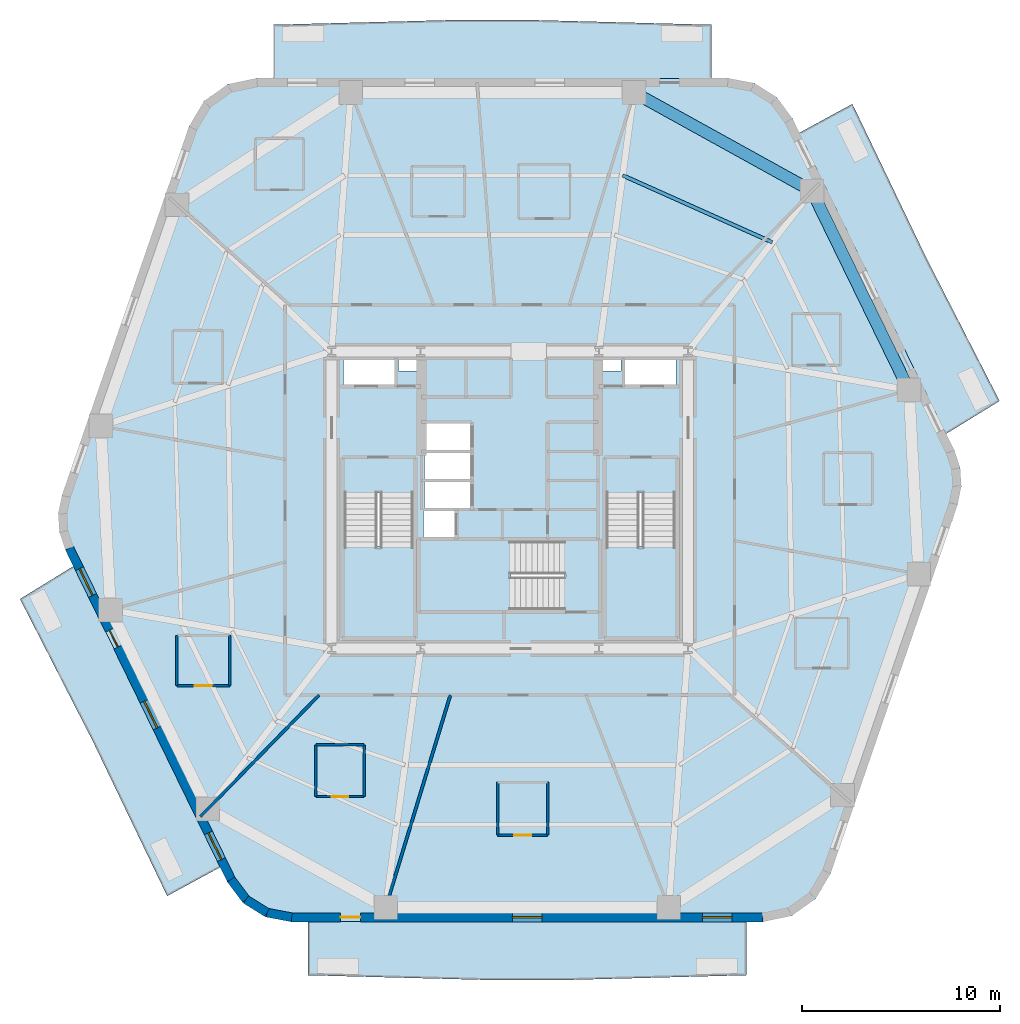
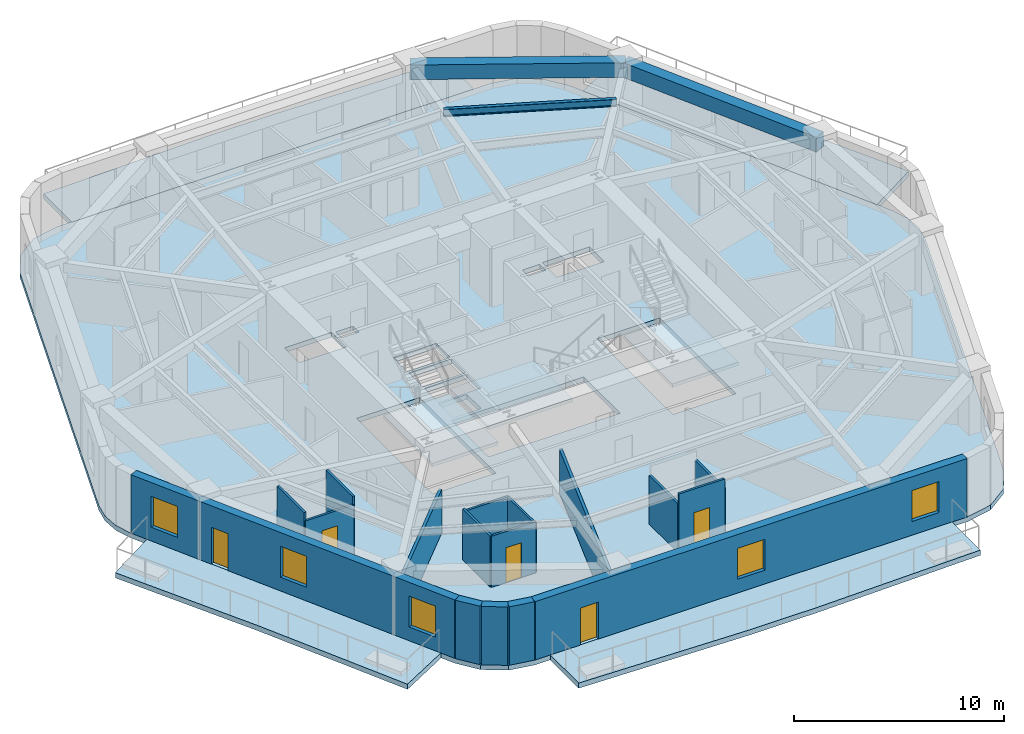
# One storey, part 2 of 9: 17 walls, 8 slabs, 5 doors, 5 windows, 3 beams, 10 openings, 3 elements without a shape of their own.
"""IFC4 building model written with IfcOpenShell, lengths in metres."""

from ifc_helpers import new_model, si_unit, direction, frame, frame_2d, origin, origin_2d, place, context, subcontext, project, spatial, polyline, rectangle, i_section, outline, extrude, material, layer, layer_set, material_profile, profile_set, type_object, element, fill, aggregate, save


model = new_model("IFC4")

# Units and contexts
model_context = context("Model", 3, precision=1e-05, world=origin(), true_north=direction((0.0, 1.0)))
body_context = subcontext(model_context, "Body", "Model", "MODEL_VIEW")
ifc_project = project(units=[si_unit("LENGTHUNIT", "METRE"), si_unit("AREAUNIT", "SQUARE_METRE"), si_unit("VOLUMEUNIT", "CUBIC_METRE"), si_unit("PLANEANGLEUNIT", "RADIAN"), si_unit("MASSUNIT", "GRAM", prefix="KILO")], contexts=[model_context])

# Site, building, storey
site_placement = place(None, origin())
site = spatial("IfcSite", under=ifc_project, at=site_placement, CompositionType="ELEMENT")
building_placement = place(site_placement, origin())
building = spatial("IfcBuilding", under=site, at=building_placement, Name="Kilnhurst Terrace Hotel", CompositionType="ELEMENT")
storey_placement = place(building_placement, frame((0.0, 0.0, 124.699951171875)))
storey = spatial("IfcBuildingStorey", under=building, at=storey_placement, Name="L30", CompositionType="ELEMENT", Elevation=124.699951171875)

# Beams
ifc_material_1 = material(Name="Concrete C50/60", Category="concrete")
ifc_material_profile_1 = material_profile(ifc_material_1, rectangle(XDim=0.60009765625, YDim=0.85009765625, at=origin_2d()), Name="RC600X850")
ifc_profile_set_1 = profile_set([ifc_material_profile_1], Name="Concrete C50/60")
beam_type_1 = type_object("IfcBeamType", Name="BM-SPN-600X850", PredefinedType="SPANDREL", material=ifc_profile_set_1)
beam_1_placement = place(storey_placement, frame((20.1640625, 5.549072265625, 2.97509765625), z_axis=(-0.438406012271, 0.89877704043, 0.0), x_axis=(-0.89877704043, -0.438406012271, 0.0)))
element("IfcBeam", 1, at=beam_1_placement, inside=storey, type_object=beam_type_1, Name="L30 Perimeter Spandrel Beam 5", PredefinedType="SPANDREL", context=body_context, shape_type="SweptSolid", body=[
    extrude(rectangle(XDim=0.60009765625, YDim=0.85009765625, at=origin_2d()), origin(), (0.0, 0.0, 1.0), 11.19287109375),
])
beam_2_placement = place(storey_placement, frame((15.257080078125, 15.60888671875, 2.97509765625), z_axis=(-0.875094010429, 0.483952965598, 0.0), x_axis=(-0.483952965598, -0.875094010429, 0.0)))
element("IfcBeam", 2, at=beam_2_placement, inside=storey, type_object=beam_type_1, Name="L30 Perimeter Spandrel Beam 6", PredefinedType="SPANDREL", context=body_context, shape_type="SweptSolid", body=[
    extrude(rectangle(XDim=0.60009765625, YDim=0.85009765625, at=origin_2d()), origin(), (0.0, 0.0, 1.0), 10.27197265625),
])
ifc_material_2 = material(Name="Steel ASTM A992 Grade 50", Category="steel")
ifc_material_profile_2 = material_profile(ifc_material_2, i_section(OverallWidth=0.180908203125, OverallDepth=0.417236328125, WebThickness=0.010986328125, FlangeThickness=0.018310546875, at=origin_2d()), Name="W16X57")
ifc_profile_set_2 = profile_set([ifc_material_profile_2], Name="Steel ASTM A992 Grade 50")
beam_type_2 = type_object("IfcBeamType", Name="JST-STL-W16X57", PredefinedType="JOIST", material=ifc_profile_set_2)
beam_3_placement = place(storey_placement, frame((13.2548828125, 13.01416015625, 3.191162109375), z_axis=(-0.912760935806, 0.408494154262, 0.0), x_axis=(-0.408494154262, -0.912760935806, 0.0)))
element("IfcBeam", 3, at=beam_3_placement, inside=storey, type_object=beam_type_2, Name="L30 Secondary Floor Steel Joist OUT.6", PredefinedType="JOIST", context=body_context, shape_type="SweptSolid", body=[
    extrude(i_section(OverallWidth=0.180908203125, OverallDepth=0.417236328125, WebThickness=0.010986328125, FlangeThickness=0.018310546875, at=origin_2d()), origin(), (0.0, 0.0, 1.0), 8.274658203125),
])

# Slabs
ifc_layer_1 = layer(ifc_material_1, 0.300048828125, Name="Concrete C50/60")
ifc_layer_set_1 = layer_set([ifc_layer_1], Name="Concrete C50/60")
slab_type_1 = type_object("IfcSlabType", Name="SLB-BAL-300", PredefinedType="FLOOR", material=ifc_layer_set_1)
slab_1_placement = place(storey_placement, frame((0.0, 0.0, -0.300048828125)))
element("IfcSlab", 4, at=slab_1_placement, inside=storey, type_object=slab_type_1, Name="L30 Cantilevered Planted Terrace Slab BAL-L1A", PredefinedType="FLOOR", context=body_context, shape_type="SweptSolid", body=[
    extrude(outline(polyline([(21.044921875, 12.205810546875), (24.734130859375, 5.0), (22.023193359375, 3.333740234375), (14.6083984375, 18.53564453125), (17.301513671875, 20.0), (21.044921875, 12.205810546875)])), origin(), (0.0, 0.0, 1.0), 0.300048828125),
])
slab_2_placement = place(storey_placement, frame((0.0, 0.0, -0.300048828125)))
element("IfcSlab", 5, at=slab_2_placement, inside=storey, type_object=slab_type_1, Name="L30 Cantilevered Planted Terrace Slab BAL-L1B", PredefinedType="FLOOR", context=body_context, shape_type="SweptSolid", body=[
    extrude(outline(polyline([(1.027099609375, 24.239990234375), (10.18310546875, 24.0), (10.18310546875, 21.280029296875), (-11.943603515625, 21.280029296875), (-11.943603515625, 24.0), (-2.787841796875, 24.239990234375), (1.027099609375, 24.239990234375)])), origin(), (0.0, 0.0, 1.0), 0.300048828125),
])
slab_3_placement = place(storey_placement, frame((0.0, 0.0, -0.300048828125)))
element("IfcSlab", 6, at=slab_3_placement, inside=storey, type_object=slab_type_1, Name="L30 Cantilevered Planted Terrace Slab BAL-L2A", PredefinedType="FLOOR", context=body_context, shape_type="SweptSolid", body=[
    extrude(outline(polyline([(-24.734130859375, -5.0), (-22.023193359375, -3.333740234375), (-14.6083984375, -18.53564453125), (-17.301513671875, -20.0), (-21.044921875, -12.205810546875), (-24.734130859375, -5.0)])), origin(), (0.0, 0.0, 1.0), 0.300048828125),
])
slab_4_placement = place(storey_placement, frame((0.0, 0.0, -0.300048828125)))
element("IfcSlab", 7, at=slab_4_placement, inside=storey, type_object=slab_type_1, Name="L30 Cantilevered Planted Terrace Slab BAL-L2B", PredefinedType="FLOOR", context=body_context, shape_type="SweptSolid", body=[
    extrude(outline(polyline([(-1.027099609375, -24.239990234375), (-10.18310546875, -24.0), (-10.18310546875, -21.280029296875), (11.943603515625, -21.280029296875), (11.943603515625, -24.0), (2.787841796875, -24.239990234375), (-1.027099609375, -24.239990234375)])), origin(), (0.0, 0.0, 1.0), 0.300048828125),
])
ifc_layer_2 = layer(ifc_material_1, 0.280029296875, Name="Concrete C50/60")
ifc_layer_set_2 = layer_set([ifc_layer_2], Name="Concrete C50/60")
slab_type_2 = type_object("IfcSlabType", Name="SLB-FLR-280", PredefinedType="FLOOR", material=ifc_layer_set_2)
slab_5_placement = place(storey_placement, frame((0.0, 0.0, -0.280029296875)))
element("IfcSlab", 8, at=slab_5_placement, inside=storey, type_object=slab_type_2, Name="L30 Structural Floor Slab", PredefinedType="FLOOR", context=body_context, shape_type="SweptSolid", body=[
    extrude(outline(polyline([(-14.2685546875, -19.2783203125), (-13.472900390625, -20.34716796875), (-12.342529296875, -21.05322265625), (-11.032958984375, -21.300048828125), (12.793701171875, -21.300048828125), (14.23876953125, -20.997314453125), (15.44091796875, -20.139892578125), (16.197509765625, -18.872314453125), (22.614501953125, -0.238525390625), (22.8017578125, 0.6826171875), (22.744384765625, 1.62060546875), (22.4462890625, 2.51171875), (14.2685546875, 19.2783203125), (13.472900390625, 20.34716796875), (12.342529296875, 21.05322265625), (11.032958984375, 21.300048828125), (-12.793701171875, 21.300048828125), (-14.23876953125, 20.997314453125), (-15.44091796875, 20.139892578125), (-16.197509765625, 18.872314453125), (-22.614501953125, 0.238525390625), (-22.8017578125, -0.6826171875), (-22.744384765625, -1.62060546875), (-22.4462890625, -2.51171875), (-14.2685546875, -19.2783203125)]), holes=[polyline([(-8.35009765625, 0.35498046875), (-4.8798828125, 0.35498046875), (-4.8798828125, -6.89990234375), (-8.35009765625, -6.89990234375), (-8.35009765625, 0.35498046875)]), polyline([(-2.800048828125, -1.89990234375), (-4.35009765625, -1.89990234375), (-4.35009765625, -0.550048828125), (-2.800048828125, -0.550048828125), (-2.800048828125, -1.89990234375)]), polyline([(-1.949951171875, -0.429931640625), (-4.300048828125, -0.429931640625), (-4.300048828125, 0.89990234375), (-1.949951171875, 0.89990234375), (-1.949951171875, -0.429931640625)]), polyline([(-4.300048828125, 1.050048828125), (-4.300048828125, 2.3798828125), (-1.949951171875, 2.3798828125), (-1.949951171875, 1.050048828125), (-4.300048828125, 1.050048828125)]), polyline([(-8.39990234375, 5.75), (-8.39990234375, 7.14990234375), (-5.800048828125, 7.14990234375), (-5.800048828125, 5.75), (-8.39990234375, 5.75)]), polyline([(-4.659912109375, 6.52001953125), (-5.6201171875, 6.52001953125), (-5.6201171875, 7.080078125), (-4.659912109375, 7.080078125), (-4.659912109375, 6.52001953125)]), polyline([(2.7548828125, -5.550048828125), (-4.5, -5.550048828125), (-4.5, -2.080078125), (2.7548828125, -2.080078125), (2.7548828125, -5.550048828125)]), polyline([(8.35009765625, 0.35498046875), (8.35009765625, -6.89990234375), (4.8798828125, -6.89990234375), (4.8798828125, 0.35498046875), (8.35009765625, 0.35498046875)]), polyline([(-1.949951171875, 2.530029296875), (-4.300048828125, 2.530029296875), (-4.300048828125, 3.860107421875), (-1.949951171875, 3.860107421875), (-1.949951171875, 2.530029296875)]), polyline([(5.800048828125, 5.75), (5.800048828125, 7.14990234375), (8.39990234375, 7.14990234375), (8.39990234375, 5.75), (5.800048828125, 5.75)]), polyline([(4.659912109375, 6.52001953125), (4.659912109375, 7.080078125), (5.6201171875, 7.080078125), (5.6201171875, 6.52001953125), (4.659912109375, 6.52001953125)])]), origin(), (0.0, 0.0, 1.0), 0.280029296875),
])

# Stair, slab
stair_type = type_object("IfcStairType", Name="STR-CORE-1660", PredefinedType="HALF_TURN_STAIR", material=ifc_material_1)
stair_1_placement = place(storey_placement, origin())
stair_1 = element("IfcStair", 9, at=stair_1_placement, inside=storey, type_object=stair_type, Name="L30 ST-1", PredefinedType="HALF_TURN_STAIR")
ifc_layer_3 = layer(ifc_material_1, 0.199951171875, Name="Concrete C50/60")
ifc_layer_set_3 = layer_set([ifc_layer_3], Name="Concrete C50/60")
slab_type_3 = type_object("IfcSlabType", Name="SLB-ST-LND-200", PredefinedType="LANDING", material=ifc_layer_set_3)
slab_6_placement = place(storey_placement, frame((0.0, 0.0, 1.650146484375)))
slab_6 = element("IfcSlab", 10, at=slab_6_placement, type_object=slab_type_3, Name="ST-1 landing 1", PredefinedType="LANDING", context=body_context, shape_type="SweptSolid", body=[
    extrude(outline(polyline([(-8.429931640625, -2.330078125), (-4.800048828125, -2.330078125), (-4.800048828125, -6.97998046875), (-8.429931640625, -6.97998046875), (-8.429931640625, -2.330078125)])), origin(), (0.0, 0.0, 1.0), 0.199951171875),
])
aggregate(stair_1, [slab_6])

stair_2_placement = place(storey_placement, origin())
stair_2 = element("IfcStair", 11, at=stair_2_placement, inside=storey, type_object=stair_type, Name="L30 ST-2", PredefinedType="HALF_TURN_STAIR")
slab_7_placement = place(storey_placement, frame((0.0, 0.0, 1.650146484375)))
slab_7 = element("IfcSlab", 12, at=slab_7_placement, type_object=slab_type_3, Name="ST-2 landing 1", PredefinedType="LANDING", context=body_context, shape_type="SweptSolid", body=[
    extrude(outline(polyline([(4.800048828125, -2.330078125), (8.429931640625, -2.330078125), (8.429931640625, -6.97998046875), (4.800048828125, -6.97998046875), (4.800048828125, -2.330078125)])), origin(), (0.0, 0.0, 1.0), 0.199951171875),
])
aggregate(stair_2, [slab_7])

stair_3_placement = place(storey_placement, origin())
stair_3 = element("IfcStair", 13, at=stair_3_placement, inside=storey, type_object=stair_type, Name="L30 ST-3", PredefinedType="HALF_TURN_STAIR")
slab_8_placement = place(storey_placement, frame((0.0, 0.0, 1.650146484375)))
slab_8 = element("IfcSlab", 14, at=slab_8_placement, type_object=slab_type_3, Name="ST-3 landing 1", PredefinedType="LANDING", context=body_context, shape_type="SweptSolid", body=[
    extrude(outline(polyline([(0.070068359375, -2.0), (0.070068359375, -5.6298828125), (-4.580078125, -5.6298828125), (-4.580078125, -2.0), (0.070068359375, -2.0)])), origin(), (0.0, 0.0, 1.0), 0.199951171875),
])
aggregate(stair_3, [slab_8])

# Walls
ifc_material_3 = material(Name="Precast concrete C40/50", Category="concrete")
ifc_layer_4 = layer(ifc_material_3, 0.449951171875, Name="Precast concrete C40/50")
ifc_layer_set_4 = layer_set([ifc_layer_4], Name="Precast concrete C40/50")
wall_type_1 = type_object("IfcWallType", Name="WL-BRK-450", PredefinedType="SOLIDWALL", material=ifc_layer_set_4)
wall_1_placement = place(storey_placement, frame((-14.07568359375, -19.16064453125, 0.0), z_axis=(0.0, 0.0, 1.0), x_axis=(0.597226657159, -0.802072515412, 0.0)))
element("IfcWall", 15, at=wall_1_placement, inside=storey, type_object=wall_type_1, Name="L30 Rounded Corner Brick Wall C1.1", PredefinedType="SOLIDWALL", context=body_context, shape_type="SweptSolid", body=[
    extrude(rectangle(XDim=1.269287109375, YDim=0.449951171875, at=frame_2d((0.634765625, 0.0))), origin(), (0.0, 0.0, 1.0), 3.400146484375),
])
wall_2_placement = place(storey_placement, frame((-13.317626953125, -20.1787109375, 0.0), z_axis=(0.0, 0.0, 1.0), x_axis=(0.848031272749, -0.529946186362, 0.0)))
element("IfcWall", 16, at=wall_2_placement, inside=storey, type_object=wall_type_1, Name="L30 Rounded Corner Brick Wall C1.2", PredefinedType="SOLIDWALL", context=body_context, shape_type="SweptSolid", body=[
    extrude(rectangle(XDim=1.248046875, YDim=0.449951171875, at=frame_2d((0.6240234375, 0.0))), origin(), (0.0, 0.0, 1.0), 3.400146484375),
])
wall_3_placement = place(storey_placement, frame((-12.25927734375, -20.840087890625, 0.0), z_axis=(0.0, 0.0, 1.0), x_axis=(0.982730354425, -0.185043374624, 0.0)))
element("IfcWall", 17, at=wall_3_placement, inside=storey, type_object=wall_type_1, Name="L30 Rounded Corner Brick Wall C1.3", PredefinedType="SOLIDWALL", context=body_context, shape_type="SweptSolid", body=[
    extrude(rectangle(XDim=1.269287109375, YDim=0.449951171875, at=frame_2d((0.634765625, 0.0))), origin(), (0.0, 0.0, 1.0), 3.400146484375),
])

# Wall, openings, door, windows
wall_4_placement = place(storey_placement, frame((-11.011962890625, -21.074951171875, 0.0), z_axis=(0.0, 0.0, 1.0), x_axis=(1.0, 0.0, 0.0)))
wall_4 = element("IfcWall", 18, at=wall_4_placement, inside=storey, type_object=wall_type_1, Name="L30 Exterior Brick Facade Wall F1", PredefinedType="SOLIDWALL", context=body_context, shape_type="SweptSolid", body=[
    extrude(rectangle(XDim=23.782470703125, YDim=0.449951171875, at=frame_2d((11.89111328125, 0.0))), origin(), (0.0, 0.0, 1.0), 3.400146484375),
])
opening_1_placement = place(wall_4_placement, frame((2.472900390625, 0.0, 0.0)))
opening_1 = element("IfcOpeningElement", 19, at=opening_1_placement, cuts=wall_4, Name="Opening BD-1000", PredefinedType="OPENING", context=body_context, shape_type="SweptSolid", body=[
    extrude(rectangle(XDim=1.0, YDim=2.14990234375, at=frame_2d((0.5, 1.074951171875))), frame((0.0, 0.23486328125, 0.0), z_axis=(0.0, -1.0, 0.0), x_axis=(1.0, 0.0, 0.0)), (0.0, 0.0, 1.0), 0.469970703125),
])
opening_2_placement = place(wall_4_placement, frame((11.14208984375, 0.0, 0.800048828125)))
opening_2 = element("IfcOpeningElement", 20, at=opening_2_placement, cuts=wall_4, Name="Opening W-02", PredefinedType="OPENING", context=body_context, shape_type="SweptSolid", body=[
    extrude(rectangle(XDim=1.5, YDim=1.800048828125, at=frame_2d((0.75, 0.89990234375))), frame((0.0, 0.23486328125, 0.0), z_axis=(0.0, -1.0, 0.0), x_axis=(1.0, 0.0, 0.0)), (0.0, 0.0, 1.0), 0.469970703125),
])
opening_3_placement = place(wall_4_placement, frame((20.740966796875, 0.0, 0.800048828125)))
opening_3 = element("IfcOpeningElement", 21, at=opening_3_placement, cuts=wall_4, Name="Opening W-02", PredefinedType="OPENING", context=body_context, shape_type="SweptSolid", body=[
    extrude(rectangle(XDim=1.5, YDim=1.800048828125, at=frame_2d((0.75, 0.89990234375))), frame((0.0, 0.23486328125, 0.0), z_axis=(0.0, -1.0, 0.0), x_axis=(1.0, 0.0, 0.0)), (0.0, 0.0, 1.0), 0.469970703125),
])
ifc_material_4 = material(Name="Thermally Broken Bronze Aluminium Alloy 6063-T6 and Laminated Glass", Category="aluminium")
door_type_1 = type_object("IfcDoorType", Name="DR-EXT-BAL-1000", OperationType="NOTDEFINED", PredefinedType="DOOR", material=ifc_material_4)
door_1_placement = place(opening_1_placement, origin())
door_1 = element("IfcDoor", 22, at=door_1_placement, inside=storey, type_object=door_type_1, Name="L30 Planted Balcony Door BAL-L2B", OperationType="SINGLE_SWING_LEFT", OverallHeight=2.14990234375, OverallWidth=1.0, PredefinedType="DOOR", context=body_context, shape_type="SweptSolid", body=[
    extrude(rectangle(XDim=1.0, YDim=2.14990234375, at=frame_2d((0.5, 1.074951171875))), frame((0.0, 0.02490234375, 0.0), z_axis=(0.0, -1.0, 0.0), x_axis=(1.0, 0.0, 0.0)), (0.0, 0.0, 1.0), 0.050048828125),
])
fill(opening_1, door_1)
ifc_material_5 = material(Name="Thermally Broken Bronze Aluminium Alloy 6063-T6 and Low-E Glass", Category="aluminium")
window_type = type_object("IfcWindowType", Name="WIN-1500X1800", PartitioningType="SINGLE_PANEL", PredefinedType="WINDOW", material=ifc_material_5)
window_1_placement = place(opening_2_placement, origin())
window_1 = element("IfcWindow", 23, at=window_1_placement, inside=storey, type_object=window_type, Name="L30 Deep-Set Masonry Window F1.1", OverallHeight=1.800048828125, OverallWidth=1.5, PartitioningType="SINGLE_PANEL", PredefinedType="WINDOW", context=body_context, shape_type="SweptSolid", body=[
    extrude(rectangle(XDim=1.5, YDim=1.800048828125, at=frame_2d((0.75, 0.89990234375))), frame((0.0, 0.030029296875, 0.0), z_axis=(0.0, -1.0, 0.0), x_axis=(1.0, 0.0, 0.0)), (0.0, 0.0, 1.0), 0.06005859375),
])
fill(opening_2, window_1)
window_2_placement = place(opening_3_placement, origin())
window_2 = element("IfcWindow", 24, at=window_2_placement, inside=storey, type_object=window_type, Name="L30 Deep-Set Masonry Window F1.2", OverallHeight=1.800048828125, OverallWidth=1.5, PartitioningType="SINGLE_PANEL", PredefinedType="WINDOW", context=body_context, shape_type="SweptSolid", body=[
    extrude(rectangle(XDim=1.5, YDim=1.800048828125, at=frame_2d((0.75, 0.89990234375))), frame((0.0, 0.030029296875, 0.0), z_axis=(0.0, -1.0, 0.0), x_axis=(1.0, 0.0, 0.0)), (0.0, 0.0, 1.0), 0.06005859375),
])
fill(opening_3, window_2)

wall_5_placement = place(storey_placement, frame((-22.237548828125, -2.426513671875, 0.0), z_axis=(0.0, 0.0, 1.0), x_axis=(0.438374803278, -0.898792262901, 0.0)))
wall_5 = element("IfcWall", 25, at=wall_5_placement, inside=storey, type_object=wall_type_1, Name="L30 Exterior Brick Facade Wall F6", PredefinedType="SOLIDWALL", context=body_context, shape_type="SweptSolid", body=[
    extrude(rectangle(XDim=18.618408203125, YDim=0.449951171875, at=frame_2d((9.30908203125, 0.0))), origin(), (0.0, 0.0, 1.0), 3.400146484375),
])
opening_4_placement = place(wall_5_placement, frame((4.6201171875, 0.0, 0.0)))
opening_4 = element("IfcOpeningElement", 26, at=opening_4_placement, cuts=wall_5, Name="Opening BD-950", PredefinedType="OPENING", context=body_context, shape_type="SweptSolid", body=[
    extrude(rectangle(XDim=0.949951171875, YDim=2.14990234375, at=frame_2d((0.47509765625, 1.074951171875))), frame((0.0, 0.23486328125, 0.0), z_axis=(0.0, -1.0, 0.0), x_axis=(1.0, 0.0, 0.0)), (0.0, 0.0, 1.0), 0.469970703125),
])
opening_5_placement = place(wall_5_placement, frame((1.1630859375, 0.0, 0.800048828125)))
opening_5 = element("IfcOpeningElement", 27, at=opening_5_placement, cuts=wall_5, Name="Opening W-02", PredefinedType="OPENING", context=body_context, shape_type="SweptSolid", body=[
    extrude(rectangle(XDim=1.5, YDim=1.800048828125, at=frame_2d((0.75, 0.89990234375))), frame((0.0, 0.23486328125, 0.0), z_axis=(0.0, -1.0, 0.0), x_axis=(1.0, 0.0, 0.0)), (0.0, 0.0, 1.0), 0.469970703125),
])
opening_6_placement = place(wall_5_placement, frame((8.610107421875, 0.0, 0.800048828125)))
opening_6 = element("IfcOpeningElement", 28, at=opening_6_placement, cuts=wall_5, Name="Opening W-02", PredefinedType="OPENING", context=body_context, shape_type="SweptSolid", body=[
    extrude(rectangle(XDim=1.5, YDim=1.800048828125, at=frame_2d((0.75, 0.89990234375))), frame((0.0, 0.23486328125, 0.0), z_axis=(0.0, -1.0, 0.0), x_axis=(1.0, 0.0, 0.0)), (0.0, 0.0, 1.0), 0.469970703125),
])
opening_7_placement = place(wall_5_placement, frame((16.006103515625, 0.0, 0.800048828125)))
opening_7 = element("IfcOpeningElement", 29, at=opening_7_placement, cuts=wall_5, Name="Opening W-02", PredefinedType="OPENING", context=body_context, shape_type="SweptSolid", body=[
    extrude(rectangle(XDim=1.5, YDim=1.800048828125, at=frame_2d((0.75, 0.89990234375))), frame((0.0, 0.23486328125, 0.0), z_axis=(0.0, -1.0, 0.0), x_axis=(1.0, 0.0, 0.0)), (0.0, 0.0, 1.0), 0.469970703125),
])
door_type_2 = type_object("IfcDoorType", Name="DR-EXT-BAL-950", OperationType="NOTDEFINED", PredefinedType="DOOR", material=ifc_material_4)
door_2_placement = place(opening_4_placement, origin())
door_2 = element("IfcDoor", 30, at=door_2_placement, inside=storey, type_object=door_type_2, Name="L30 Planted Balcony Door BAL-L2A", OperationType="SINGLE_SWING_RIGHT", OverallHeight=2.14990234375, OverallWidth=0.949951171875, PredefinedType="DOOR", context=body_context, shape_type="SweptSolid", body=[
    extrude(rectangle(XDim=0.949951171875, YDim=2.14990234375, at=frame_2d((0.47509765625, 1.074951171875))), frame((0.0, 0.02490234375, 0.0), z_axis=(0.0, -1.0, 0.0), x_axis=(1.0, 0.0, 0.0)), (0.0, 0.0, 1.0), 0.050048828125),
])
fill(opening_4, door_2)
window_3_placement = place(opening_5_placement, origin())
window_3 = element("IfcWindow", 31, at=window_3_placement, inside=storey, type_object=window_type, Name="L30 Deep-Set Masonry Window F6.1", OverallHeight=1.800048828125, OverallWidth=1.5, PartitioningType="SINGLE_PANEL", PredefinedType="WINDOW", context=body_context, shape_type="SweptSolid", body=[
    extrude(rectangle(XDim=1.5, YDim=1.800048828125, at=frame_2d((0.75, 0.89990234375))), frame((0.0, 0.030029296875, 0.0), z_axis=(0.0, -1.0, 0.0), x_axis=(1.0, 0.0, 0.0)), (0.0, 0.0, 1.0), 0.06005859375),
])
fill(opening_5, window_3)
window_4_placement = place(opening_6_placement, origin())
window_4 = element("IfcWindow", 32, at=window_4_placement, inside=storey, type_object=window_type, Name="L30 Deep-Set Masonry Window F6.2", OverallHeight=1.800048828125, OverallWidth=1.5, PartitioningType="SINGLE_PANEL", PredefinedType="WINDOW", context=body_context, shape_type="SweptSolid", body=[
    extrude(rectangle(XDim=1.5, YDim=1.800048828125, at=frame_2d((0.75, 0.89990234375))), frame((0.0, 0.030029296875, 0.0), z_axis=(0.0, -1.0, 0.0), x_axis=(1.0, 0.0, 0.0)), (0.0, 0.0, 1.0), 0.06005859375),
])
fill(opening_6, window_4)
window_5_placement = place(opening_7_placement, origin())
window_5 = element("IfcWindow", 33, at=window_5_placement, inside=storey, type_object=window_type, Name="L30 Deep-Set Masonry Window F6.3", OverallHeight=1.800048828125, OverallWidth=1.5, PartitioningType="SINGLE_PANEL", PredefinedType="WINDOW", context=body_context, shape_type="SweptSolid", body=[
    extrude(rectangle(XDim=1.5, YDim=1.800048828125, at=frame_2d((0.75, 0.89990234375))), frame((0.0, 0.030029296875, 0.0), z_axis=(0.0, -1.0, 0.0), x_axis=(1.0, 0.0, 0.0)), (0.0, 0.0, 1.0), 0.06005859375),
])
fill(opening_7, window_5)

# Walls
ifc_material_6 = material(Name="STC-58 Acoustic Twin-Frame Guestroom Demising Partition")
ifc_layer_5 = layer(ifc_material_6, 0.14990234375, Name="STC-58 Acoustic Twin-Frame Guestroom Demising Partition")
ifc_layer_set_5 = layer_set([ifc_layer_5], Name="STC-58 Acoustic Twin-Frame Guestroom Demising Partition")
wall_type_2 = type_object("IfcWallType", Name="WL-DEM-150", PredefinedType="PARTITIONING", material=ifc_layer_set_5)
wall_6_placement = place(storey_placement, frame((-9.6279296875, -9.85009765625, 0.0), z_axis=(0.0, 0.0, 1.0), x_axis=(-0.698992824326, -0.715128681805, 0.0)))
element("IfcWall", 34, at=wall_6_placement, inside=storey, type_object=wall_type_2, Name="L30 Interior Wall WL-L30-DEM-COL08-09-1", PredefinedType="PARTITIONING", context=body_context, shape_type="SweptSolid", body=[
    extrude(rectangle(XDim=8.578857421875, YDim=0.14990234375, at=frame_2d((4.28955078125, 0.0))), origin(), (0.0, 0.0, 1.0), 2.5400390625),
])
wall_7_placement = place(storey_placement, frame((-3.0, -9.85009765625, 0.0), z_axis=(0.0, 0.0, 1.0), x_axis=(-0.291352035382, -0.95661590593, 0.0)))
element("IfcWall", 35, at=wall_7_placement, inside=storey, type_object=wall_type_2, Name="L30 Interior Wall WL-L30-DEM-COL09-10-1", PredefinedType="PARTITIONING", context=body_context, shape_type="SweptSolid", body=[
    extrude(rectangle(XDim=11.73388671875, YDim=0.14990234375, at=frame_2d((5.866943359375, 0.0))), origin(), (0.0, 0.0, 1.0), 2.5400390625),
])

# Wall, opening, door
ifc_material_7 = material(Name="120 mm Moisture-Resistant Tile-Backed Bathroom Partition")
ifc_layer_6 = layer(ifc_material_7, 0.1201171875, Name="120 mm Moisture-Resistant Tile-Backed Bathroom Partition")
ifc_layer_set_6 = layer_set([ifc_layer_6], Name="120 mm Moisture-Resistant Tile-Backed Bathroom Partition")
wall_type_3 = type_object("IfcWallType", Name="WL-PART-120", PredefinedType="PARTITIONING", material=ifc_layer_set_6)
wall_8_placement = place(storey_placement, frame((-16.81494140625, -9.375, 0.0), z_axis=(0.0, 0.0, 1.0), x_axis=(1.0, 0.0, 0.0)))
wall_8 = element("IfcWall", 36, at=wall_8_placement, inside=storey, type_object=wall_type_3, Name="L30 Interior Wall WL-L30-BTH-08-1", PredefinedType="PARTITIONING", context=body_context, shape_type="SweptSolid", body=[
    extrude(rectangle(XDim=2.679931640625, YDim=0.1201171875, at=frame_2d((1.33984375, 0.0))), origin(), (0.0, 0.0, 1.0), 2.926513671875),
])
opening_8_placement = place(wall_8_placement, frame((0.9150390625, 0.0, 0.0)))
opening_8 = element("IfcOpeningElement", 37, at=opening_8_placement, cuts=wall_8, Name="Opening D-08A", PredefinedType="OPENING", context=body_context, shape_type="SweptSolid", body=[
    extrude(rectangle(XDim=0.85009765625, YDim=2.030029296875, at=frame_2d((0.425048828125, 1.01513671875))), frame((0.0, 0.070068359375, 0.0), z_axis=(0.0, -1.0, 0.0), x_axis=(1.0, 0.0, 0.0)), (0.0, 0.0, 1.0), 0.14013671875),
])
ifc_material_8 = material(Name="Moisture-Resistant Lacquered En-suite Bathroom Door")
door_type_3 = type_object("IfcDoorType", Name="DR-INT-850", OperationType="NOTDEFINED", PredefinedType="DOOR", material=ifc_material_8)
door_3_placement = place(opening_8_placement, origin())
door_3 = element("IfcDoor", 38, at=door_3_placement, inside=storey, type_object=door_type_3, Name="L30 En-suite Bathroom Door 8", OperationType="SINGLE_SWING_LEFT", OverallHeight=2.030029296875, OverallWidth=0.85009765625, PredefinedType="DOOR", context=body_context, shape_type="SweptSolid", body=[
    extrude(rectangle(XDim=0.85009765625, YDim=2.030029296875, at=frame_2d((0.425048828125, 1.01513671875))), frame((0.0, 0.02490234375, 0.0), z_axis=(0.0, -1.0, 0.0), x_axis=(1.0, 0.0, 0.0)), (0.0, 0.0, 1.0), 0.050048828125),
])
fill(opening_8, door_3)

# Walls
for number, where, z_axis, x_axis, name in (
    (39, (-14.135009765625, -9.375, 0.0), (0.0, 0.0, 1.0), (0.0, 1.0, 0.0), "L30 Interior Wall WL-L30-BTH-08-2"),
    (40, (-16.81494140625, -6.8349609375, 0.0), (0.0, 0.0, 1.0), (0.0, -1.0, 0.0), "L30 Interior Wall WL-L30-BTH-08-4"),
):
    element("IfcWall", number, at=place(storey_placement, frame(where, z_axis=z_axis, x_axis=x_axis)), inside=storey, type_object=wall_type_3, Name=name, PredefinedType="PARTITIONING", context=body_context, shape_type="SweptSolid", body=[
        extrude(rectangle(XDim=2.5400390625, YDim=0.1201171875, at=frame_2d((1.27001953125, 0.0))), origin(), (0.0, 0.0, 1.0), 3.400146484375),
    ])

# Wall, opening, door
wall_9_placement = place(storey_placement, frame((-9.797119140625, -14.97509765625, 0.0), z_axis=(0.0, 0.0, 1.0), x_axis=(1.0, 0.0, 0.0)))
wall_9 = element("IfcWall", 41, at=wall_9_placement, inside=storey, type_object=wall_type_3, Name="L30 Interior Wall WL-L30-BTH-09-1", PredefinedType="PARTITIONING", context=body_context, shape_type="SweptSolid", body=[
    extrude(rectangle(XDim=2.440185546875, YDim=0.1201171875, at=frame_2d((1.22021484375, 0.0))), origin(), (0.0, 0.0, 1.0), 2.972412109375),
])
opening_9_placement = place(wall_9_placement, frame((0.794921875, 0.0, 0.0)))
opening_9 = element("IfcOpeningElement", 42, at=opening_9_placement, cuts=wall_9, Name="Opening D-08A", PredefinedType="OPENING", context=body_context, shape_type="SweptSolid", body=[
    extrude(rectangle(XDim=0.85009765625, YDim=2.030029296875, at=frame_2d((0.425048828125, 1.01513671875))), frame((0.0, 0.070068359375, 0.0), z_axis=(0.0, -1.0, 0.0), x_axis=(1.0, 0.0, 0.0)), (0.0, 0.0, 1.0), 0.14013671875),
])
door_4_placement = place(opening_9_placement, origin())
door_4 = element("IfcDoor", 43, at=door_4_placement, inside=storey, type_object=door_type_3, Name="L30 En-suite Bathroom Door 9", OperationType="SINGLE_SWING_RIGHT", OverallHeight=2.030029296875, OverallWidth=0.85009765625, PredefinedType="DOOR", context=body_context, shape_type="SweptSolid", body=[
    extrude(rectangle(XDim=0.85009765625, YDim=2.030029296875, at=frame_2d((0.425048828125, 1.01513671875))), frame((0.0, 0.02490234375, 0.0), z_axis=(0.0, -1.0, 0.0), x_axis=(1.0, 0.0, 0.0)), (0.0, 0.0, 1.0), 0.050048828125),
])
fill(opening_9, door_4)

# Walls
wall_10_placement = place(storey_placement, frame((-7.35693359375, -14.97509765625, 0.0), z_axis=(0.0, 0.0, 1.0), x_axis=(0.0, 1.0, 0.0)))
element("IfcWall", 44, at=wall_10_placement, inside=storey, type_object=wall_type_3, Name="L30 Interior Wall WL-L30-BTH-09-2", PredefinedType="PARTITIONING", context=body_context, shape_type="SweptSolid", body=[
    extrude(rectangle(XDim=2.610107421875, YDim=0.1201171875, at=frame_2d((1.30517578125, 0.0))), origin(), (0.0, 0.0, 1.0), 2.84033203125),
])
wall_11_placement = place(storey_placement, frame((-7.35693359375, -12.364990234375, 0.0), z_axis=(0.0, 0.0, 1.0), x_axis=(-1.0, 0.0, 0.0)))
element("IfcWall", 45, at=wall_11_placement, inside=storey, type_object=wall_type_3, Name="L30 Interior Wall WL-L30-BTH-09-3", PredefinedType="PARTITIONING", context=body_context, shape_type="SweptSolid", body=[
    extrude(rectangle(XDim=2.440185546875, YDim=0.1201171875, at=frame_2d((1.22021484375, 0.0))), origin(), (0.0, 0.0, 1.0), 2.84033203125),
])
wall_12_placement = place(storey_placement, frame((-9.797119140625, -12.364990234375, 0.0), z_axis=(0.0, 0.0, 1.0), x_axis=(0.0, -1.0, 0.0)))
element("IfcWall", 46, at=wall_12_placement, inside=storey, type_object=wall_type_3, Name="L30 Interior Wall WL-L30-BTH-09-4", PredefinedType="PARTITIONING", context=body_context, shape_type="SweptSolid", body=[
    extrude(rectangle(XDim=2.610107421875, YDim=0.1201171875, at=frame_2d((1.30517578125, 0.0))), origin(), (0.0, 0.0, 1.0), 2.972412109375),
])

# Wall, opening, door
wall_13_placement = place(storey_placement, frame((-0.60791015625, -16.927001953125, 0.0), z_axis=(0.0, 0.0, 1.0), x_axis=(1.0, 0.0, 0.0)))
wall_13 = element("IfcWall", 47, at=wall_13_placement, inside=storey, type_object=wall_type_3, Name="L30 Interior Wall WL-L30-BTH-10-1", PredefinedType="PARTITIONING", context=body_context, shape_type="SweptSolid", body=[
    extrude(rectangle(XDim=2.52001953125, YDim=0.1201171875, at=frame_2d((1.260009765625, 0.0))), origin(), (0.0, 0.0, 1.0), 3.400146484375),
])
opening_10_placement = place(wall_13_placement, frame((0.8349609375, 0.0, 0.0)))
opening_10 = element("IfcOpeningElement", 48, at=opening_10_placement, cuts=wall_13, Name="Opening D-08A", PredefinedType="OPENING", context=body_context, shape_type="SweptSolid", body=[
    extrude(rectangle(XDim=0.85009765625, YDim=2.030029296875, at=frame_2d((0.425048828125, 1.01513671875))), frame((0.0, 0.070068359375, 0.0), z_axis=(0.0, -1.0, 0.0), x_axis=(1.0, 0.0, 0.0)), (0.0, 0.0, 1.0), 0.14013671875),
])
door_5_placement = place(opening_10_placement, origin())
door_5 = element("IfcDoor", 49, at=door_5_placement, inside=storey, type_object=door_type_3, Name="L30 En-suite Bathroom Door 10", OperationType="SINGLE_SWING_LEFT", OverallHeight=2.030029296875, OverallWidth=0.85009765625, PredefinedType="DOOR", context=body_context, shape_type="SweptSolid", body=[
    extrude(rectangle(XDim=0.85009765625, YDim=2.030029296875, at=frame_2d((0.425048828125, 1.01513671875))), frame((0.0, 0.02490234375, 0.0), z_axis=(0.0, -1.0, 0.0), x_axis=(1.0, 0.0, 0.0)), (0.0, 0.0, 1.0), 0.050048828125),
])
fill(opening_10, door_5)

# Walls
for number, where, z_axis, x_axis, name in (
    (50, (1.912109375, -16.927001953125, 0.0), (0.0, 0.0, 1.0), (0.0, 1.0, 0.0), "L30 Interior Wall WL-L30-BTH-10-2"),
    (51, (-0.60791015625, -14.2470703125, 0.0), (0.0, 0.0, 1.0), (0.0, -1.0, 0.0), "L30 Interior Wall WL-L30-BTH-10-4"),
):
    element("IfcWall", number, at=place(storey_placement, frame(where, z_axis=z_axis, x_axis=x_axis)), inside=storey, type_object=wall_type_3, Name=name, PredefinedType="PARTITIONING", context=body_context, shape_type="SweptSolid", body=[
        extrude(rectangle(XDim=2.679931640625, YDim=0.1201171875, at=frame_2d((1.33984375, 0.0))), origin(), (0.0, 0.0, 1.0), 2.84033203125),
    ])

save(model, "model.ifc")
